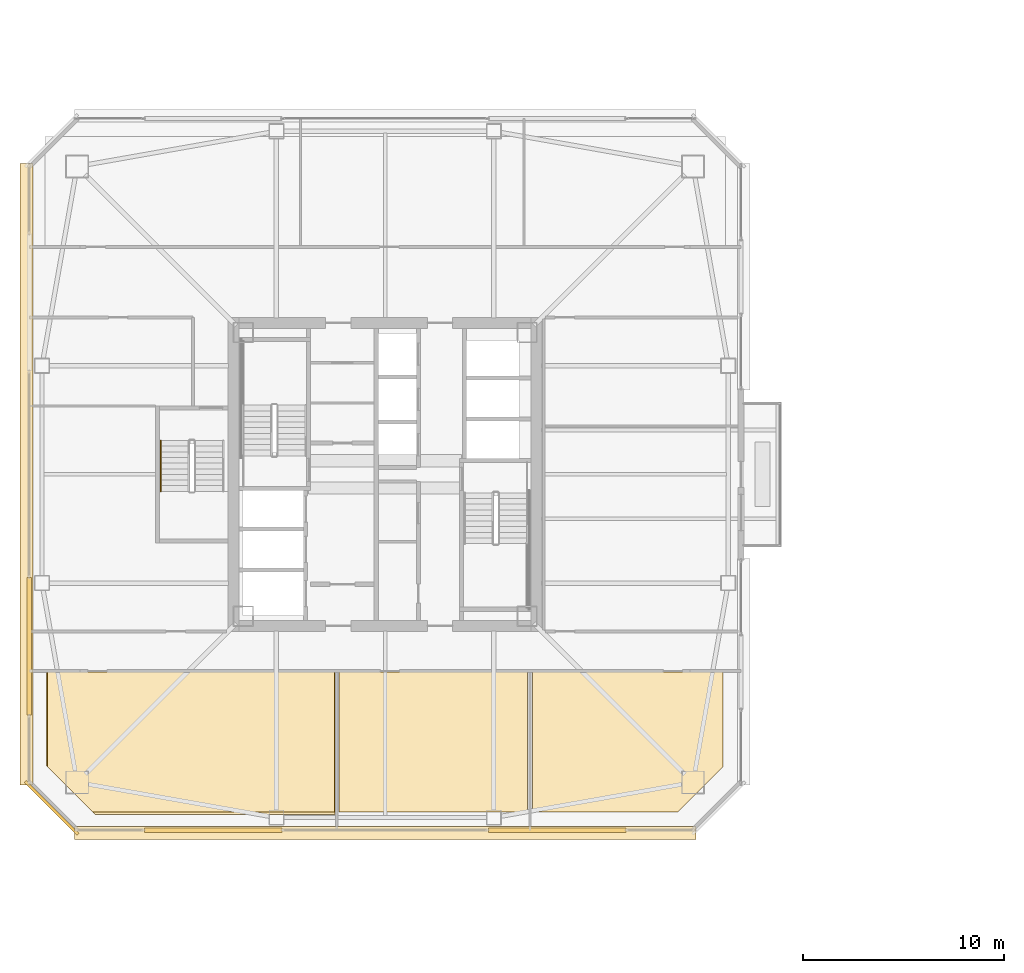
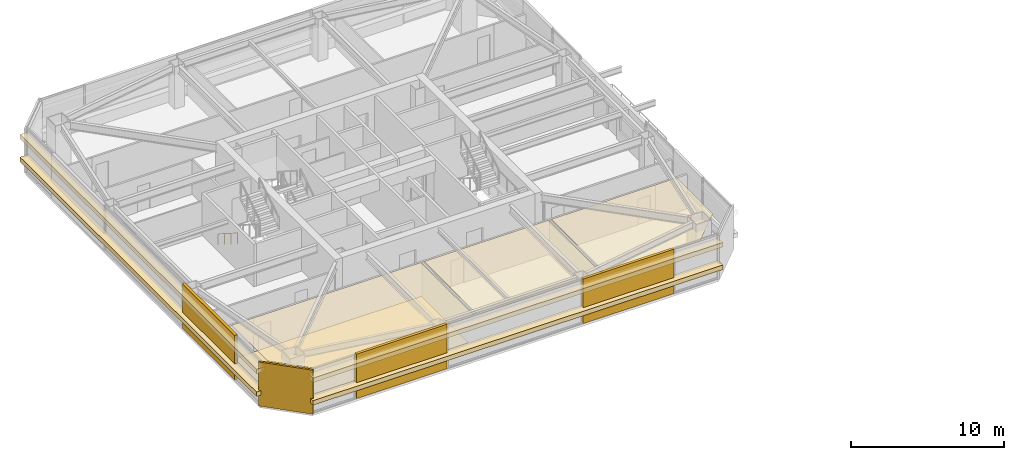
# One storey, part 36 of 41: 12 coverings, 1 railing.
"""IFC4 building model written with IfcOpenShell, lengths in metres."""

from ifc_helpers import new_model, si_unit, direction, frame, origin, origin_2d, place, context, subcontext, project, spatial, polyline, rectangle, outline, extrude, material, layer, layer_set, type_object, element, save


model = new_model("IFC4")

# Units and contexts
model_context = context("Model", 3, precision=1e-05, world=origin(), true_north=direction((0.0, 1.0)))
body_context = subcontext(model_context, "Body", "Model", "MODEL_VIEW")
ifc_project = project(units=[si_unit("LENGTHUNIT", "METRE"), si_unit("AREAUNIT", "SQUARE_METRE"), si_unit("VOLUMEUNIT", "CUBIC_METRE"), si_unit("PLANEANGLEUNIT", "RADIAN"), si_unit("MASSUNIT", "GRAM", prefix="KILO")], contexts=[model_context])

# Site, building, storey
site_placement = place(None, origin())
site = spatial("IfcSite", under=ifc_project, at=site_placement, CompositionType="ELEMENT")
building_placement = place(site_placement, origin())
building = spatial("IfcBuilding", under=site, at=building_placement, Name="Tashvorn Skyway Center", CompositionType="ELEMENT")
storey_placement = place(building_placement, frame((0.0, 0.0, 171.199951171875)))
storey = spatial("IfcBuildingStorey", under=building, at=storey_placement, Name="L46", CompositionType="ELEMENT", Elevation=171.199951171875)

# Coverings
ifc_material_1 = material(Name="Precast concrete C40/50", Category="concrete")
ifc_layer_1 = layer(ifc_material_1, 0.199951171875)
ifc_layer_set_1 = layer_set([ifc_layer_1], Name="Precast concrete C40/50")
covering_type_1 = type_object("IfcCoveringType", Name="COV-BRACE-CLAD", PredefinedType="CLADDING", material=ifc_layer_set_1)
for number, where, z_axis, x_axis, name in (
    (1, (50.54443359375, 14.320068359375, 0.0), (0.0, 0.0, 1.0), (-1.0, 0.0, 0.0), "Tower 1 L46 South Unitised Curtain Wall Mega-Brace Cladding Band 1"),
    (2, (33.45556640625, 14.320068359375, 0.0), (0.0, 0.0, 1.0), (-1.0, 0.0, 0.0), "Tower 1 L46 South Unitised Curtain Wall Mega-Brace Cladding Band 2"),
    (3, (24.320068359375, 23.45556640625, 0.0), (0.0, 0.0, 1.0), (0.0, 1.0, 0.0), "Tower 1 L46 West Unitised Curtain Wall Mega-Brace Cladding Band 1"),
):
    element("IfcCovering", number, at=place(storey_placement, frame(where, z_axis=z_axis, x_axis=x_axis)), inside=storey, type_object=covering_type_1, Name=name, PredefinedType="CLADDING", context=body_context, shape_type="SweptSolid", body=[
        extrude(rectangle(XDim=6.83544921875, YDim=0.199951171875, at=origin_2d()), origin(), (0.0, 0.0, 1.0), 3.550048828125),
    ])
ifc_material_2 = material(Name="Mineral-fibre acoustic ceiling tile on suspended grid")
ifc_layer_2 = layer(ifc_material_2, 0.02001953125)
ifc_layer_set_2 = layer_set([ifc_layer_2], Name="Mineral-fibre acoustic ceiling tile on suspended grid")
covering_type_2 = type_object("IfcCoveringType", Name="COV-CEIL-20", PredefinedType="CEILING", material=ifc_layer_set_2)
covering_1_placement = place(storey_placement, frame((0.0, 0.0, 2.703125)))
element("IfcCovering", 4, at=covering_1_placement, inside=storey, type_object=covering_type_2, Name="Tower 1 L46 Operations Control Room Acoustic Ceiling", PredefinedType="CEILING", context=body_context, shape_type="SweptSolid", body=[
    extrude(outline(polyline([(25.219970703125, 22.18994140625), (39.47998046875, 22.18994140625), (39.47998046875, 15.219970703125), (27.47998046875, 15.219970703125), (25.219970703125, 17.47998046875), (25.219970703125, 22.18994140625)])), origin(), (0.0, 0.0, 1.0), 0.02001953125),
])
covering_2_placement = place(storey_placement, frame((0.0, 0.0, 2.703125)))
element("IfcCovering", 5, at=covering_2_placement, inside=storey, type_object=covering_type_2, Name="Tower 1 L46 Security Control Room Acoustic Ceiling", PredefinedType="CEILING", context=body_context, shape_type="SweptSolid", body=[
    extrude(outline(polyline([(39.719970703125, 22.18994140625), (49.080078125, 22.18994140625), (49.080078125, 15.219970703125), (39.719970703125, 15.219970703125), (39.719970703125, 22.18994140625)])), origin(), (0.0, 0.0, 1.0), 0.02001953125),
])
covering_3_placement = place(storey_placement, frame((0.0, 0.0, 2.703125)))
element("IfcCovering", 6, at=covering_3_placement, inside=storey, type_object=covering_type_2, Name="Tower 1 L46 Security Control Room Acoustic Ceiling", PredefinedType="CEILING", context=body_context, shape_type="SweptSolid", body=[
    extrude(outline(polyline([(49.320068359375, 15.219970703125), (49.320068359375, 22.18994140625), (58.780029296875, 22.18994140625), (58.780029296875, 17.47998046875), (56.52001953125, 15.219970703125), (49.320068359375, 15.219970703125)])), origin(), (0.0, 0.0, 1.0), 0.02001953125),
])
ifc_material_3 = material(Name="Polished Mojave desert-aggregate terrazzo and cover plate")
ifc_layer_3 = layer(ifc_material_3, 0.0400390625)
ifc_layer_set_3 = layer_set([ifc_layer_3], Name="Polished Mojave desert-aggregate terrazzo and cover plate")
covering_type_3 = type_object("IfcCoveringType", Name="COV-FLR-40", PredefinedType="FLOORING", material=ifc_layer_set_3)
covering_4_placement = place(storey_placement, origin())
element("IfcCovering", 7, at=covering_4_placement, inside=storey, type_object=covering_type_3, Name="Tower 1 L46 Operations Control Room Finish Flooring", PredefinedType="FLOORING", context=body_context, shape_type="SweptSolid", body=[
    extrude(outline(polyline([(27.60009765625, 15.10009765625), (25.179931640625, 17.52001953125), (25.179931640625, 22.14990234375), (39.52001953125, 22.14990234375), (39.52001953125, 15.10009765625), (27.60009765625, 15.10009765625)])), origin(), (0.0, 0.0, 1.0), 0.0400390625),
])
ifc_material_4 = material(Name="Perforated ceramic-coated bronze aluminium solar screen", Category="aluminium")
ifc_layer_4 = layer(ifc_material_4, 0.85009765625)
ifc_layer_set_4 = layer_set([ifc_layer_4], Name="Perforated ceramic-coated bronze aluminium solar screen")
covering_type_4 = type_object("IfcCoveringType", Name="COV-SOLAR-BAND", PredefinedType="CLADDING", material=ifc_layer_set_4)
for number, where, z_axis, x_axis, name in (
    (8, (42.0, 14.179931640625, 0.919921875), (0.0, 0.0, 1.0), (-1.0, 0.0, 0.0), "L46 Perforated Ceramic-Metal Solar Screen Louvre Band South 1"),
    (9, (42.0, 14.179931640625, 2.72021484375), (0.0, 0.0, 1.0), (-1.0, 0.0, 0.0), "L46 Perforated Ceramic-Metal Solar Screen Louvre Band South 2"),
    (10, (24.179931640625, 32.0, 0.919921875), (0.0, 0.0, 1.0), (0.0, 1.0, 0.0), "L46 Perforated Ceramic-Metal Solar Screen Louvre Band West 1"),
    (11, (24.179931640625, 32.0, 2.72021484375), (0.0, 0.0, 1.0), (0.0, 1.0, 0.0), "L46 Perforated Ceramic-Metal Solar Screen Louvre Band West 2"),
):
    element("IfcCovering", number, at=place(storey_placement, frame(where, z_axis=z_axis, x_axis=x_axis)), inside=storey, type_object=covering_type_4, Name=name, PredefinedType="CLADDING", context=body_context, shape_type="SweptSolid", body=[
        extrude(rectangle(XDim=30.8798828125, YDim=0.639892578125, at=origin_2d()), origin(), (0.0, 0.0, 1.0), 0.360107421875),
    ])
ifc_layer_5 = layer(ifc_material_1, 0.35009765625)
ifc_layer_set_5 = layer_set([ifc_layer_5], Name="Precast concrete C40/50")
covering_type_5 = type_object("IfcCoveringType", Name="COV-STONE-TRIM", PredefinedType="CLADDING", material=ifc_layer_set_5)
covering_5_placement = place(storey_placement, frame((25.429931640625, 15.429931640625, 0.02001953125), z_axis=(0.0, 0.0, 1.0), x_axis=(-0.707106781187, 0.707106781187, 0.0)))
element("IfcCovering", 12, at=covering_5_placement, inside=storey, type_object=covering_type_5, Name="Tower 1 L46 SW Mojave Limestone Corner Quoin", PredefinedType="CLADDING", context=body_context, shape_type="SweptSolid", body=[
    extrude(rectangle(XDim=3.695556640625, YDim=0.139892578125, at=origin_2d()), origin(), (0.0, 0.0, 1.0), 3.510009765625),
])

# Railing
ifc_material_5 = material(Name="Brushed stainless steel 316", Category="steel")
railing_type = type_object("IfcRailingType", Name="RAIL-HAND-920", PredefinedType="HANDRAIL", material=ifc_material_5)
railing_placement = place(storey_placement, frame((30.85009765625, 33.679931640625, 0.177490234375)))
element("IfcRailing", 13, at=railing_placement, inside=storey, type_object=railing_type, Name="L46 ST-T1-3 stair handrail 1", PredefinedType="HANDRAIL", context=body_context, shape_type="SweptSolid", body=[
    extrude(rectangle(XDim=0.048095703125, YDim=0.048095703125, at=origin_2d()), frame((0.0, 0.0, 0.8759765625), z_axis=(0.0, -0.84456994832, 0.535445237532), x_axis=(1.0, 0.0, 0.0)), (0.0, 0.0, 1.0), 2.98388671875),
    extrude(rectangle(XDim=0.0419921875, YDim=0.0419921875, at=origin_2d()), origin(), (0.0, 0.0, 1.0), 0.851806640625),
    extrude(rectangle(XDim=0.0419921875, YDim=0.0419921875, at=origin_2d()), frame((0.0, -0.840087890625, 0.532470703125)), (0.0, 0.0, 1.0), 0.851806640625),
    extrude(rectangle(XDim=0.0419921875, YDim=0.0419921875, at=origin_2d()), frame((0.0, -1.679931640625, 1.065185546875)), (0.0, 0.0, 1.0), 0.851806640625),
    extrude(rectangle(XDim=0.0419921875, YDim=0.0419921875, at=origin_2d()), frame((0.0, -2.52001953125, 1.59765625)), (0.0, 0.0, 1.0), 0.851806640625),
])

save(model, "model.ifc")
